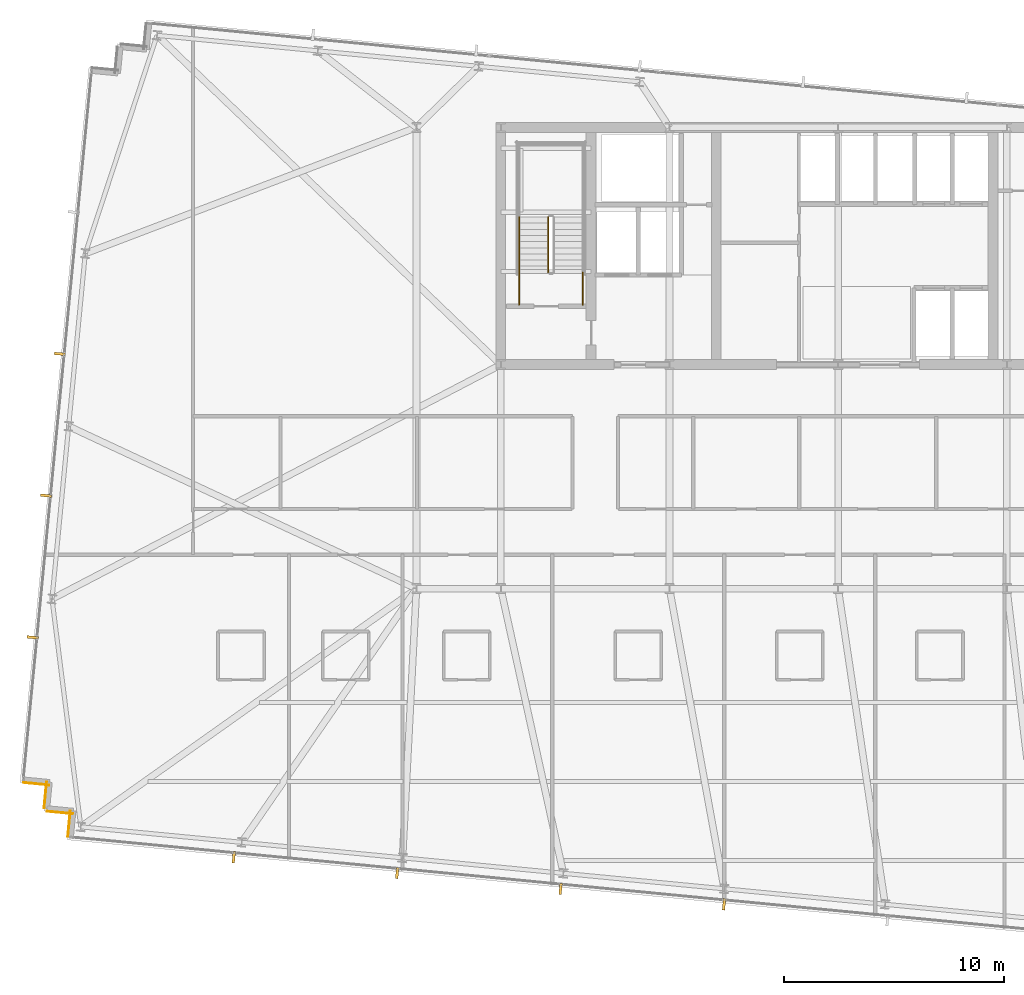
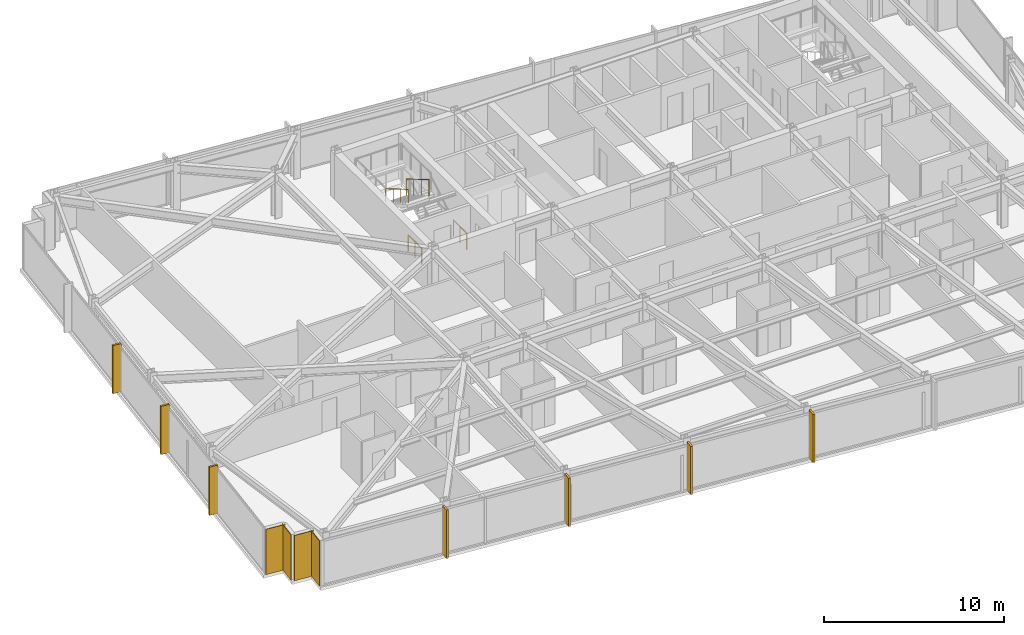
# One storey, part 33 of 38: 7 shading devices, 4 coverings, 4 railings.
"""IFC4 building model written with IfcOpenShell, lengths in metres."""

import ifcopenshell
import ifcopenshell.guid

model = None  # the IFC model being written
_history = None  # IfcOwnerHistory: only IFC2X3 demands one
_inside = {}  # id of a spatial element -> (the spatial element, [elements in it])
_under = {}  # id of a project, library or spatial element -> (it, [spatial elements below it])
_declared = {}  # id of a project -> (the project, [libraries it declares])
_typed = {}  # id of a type object -> (the type object, [elements of that type])
_made_of = {}  # id of a material, layer set ... -> (it, [elements and type objects made of it])


def new_model(schema):
    """Start an empty IFC model of exactly this schema.

    Asked for "IFC4X3", IfcOpenShell would pick the latest addendum, in which some entities
    have other attributes; the version numbers below select the first issue.
    IFC2X3 requires an IfcOwnerHistory on every rooted entity: one is made here for all.
    """
    global model, _history
    if schema == "IFC4X3":
        model = ifcopenshell.file(schema_version=(4, 3, 0, 0))
    else:
        model = ifcopenshell.file(schema=schema)
    _inside.clear()
    _under.clear()
    _declared.clear()
    _typed.clear()
    _made_of.clear()
    _history = None
    if model.schema == "IFC2X3":
        org = make("IfcOrganization", Name="unknown")
        user = make(
            "IfcPersonAndOrganization",
            ThePerson=make("IfcPerson", FamilyName="unknown"),
            TheOrganization=org,
        )
        app = make(
            "IfcApplication",
            ApplicationDeveloper=org,
            Version="unknown",
            ApplicationFullName="unknown",
            ApplicationIdentifier="unknown",
        )
        _history = make(
            "IfcOwnerHistory",
            OwningUser=user,
            OwningApplication=app,
            ChangeAction="ADDED",
            CreationDate=0,
        )
    return model


def make(cls, **values):
    """One entity of the class cls with the attributes given. An attribute that is None is left unset."""
    return model.create_entity(
        cls, **{name: value for name, value in values.items() if value is not None}
    )


def rooted(cls, **values):
    """An entity with a GlobalId (a new one), such as an element, a storey or a relation."""
    return make(cls, GlobalId=ifcopenshell.guid.new(), OwnerHistory=_history, **values)


def si_unit(unit_type, name, prefix=None):
    """IfcSIUnit, for example si_unit("LENGTHUNIT", "METRE", prefix="MILLI")."""
    return make("IfcSIUnit", UnitType=unit_type, Prefix=prefix, Name=name)


def assignment(units):
    """IfcUnitAssignment: the units of a project."""
    return None if units is None else make("IfcUnitAssignment", Units=units)


def point(xyz):
    """IfcCartesianPoint."""
    return None if xyz is None else make("IfcCartesianPoint", Coordinates=xyz)


def direction(xyz):
    """IfcDirection."""
    return None if xyz is None else make("IfcDirection", DirectionRatios=xyz)


def frame(location, z_axis=None, x_axis=None):
    """IfcAxis2Placement3D, a coordinate frame: its origin and axes. An axis left out is left unset."""
    return make(
        "IfcAxis2Placement3D",
        Location=point(location),
        Axis=direction(z_axis),
        RefDirection=direction(x_axis),
    )


def frame_2d(location, x_axis=None):
    """IfcAxis2Placement2D, a coordinate frame in the plane: its origin and x axis."""
    return make(
        "IfcAxis2Placement2D", Location=point(location), RefDirection=direction(x_axis)
    )


def origin():
    """The frame at (0, 0, 0) with its axes left unset."""
    return frame((0.0, 0.0, 0.0))


def origin_2d():
    """The frame at (0, 0) in the plane with its x axis left unset."""
    return frame_2d((0.0, 0.0))


def place(relative_to, where):
    """IfcLocalPlacement: puts the frame where relative to a parent placement (None: the world)."""
    return make(
        "IfcLocalPlacement", PlacementRelTo=relative_to, RelativePlacement=where
    )


def context(
    kind, dimensions, precision=None, world=None, true_north=None, identifier=None
):
    """IfcGeometricRepresentationContext, for example the 3D "Model" context."""
    return make(
        "IfcGeometricRepresentationContext",
        ContextIdentifier=identifier,
        ContextType=kind,
        CoordinateSpaceDimension=dimensions,
        Precision=precision,
        WorldCoordinateSystem=world,
        TrueNorth=true_north,
    )


def subcontext(parent, identifier, kind, view, scale=None):
    """IfcGeometricRepresentationSubContext, for example "Body" below "Model"."""
    return make(
        "IfcGeometricRepresentationSubContext",
        ContextIdentifier=identifier,
        ContextType=kind,
        ParentContext=parent,
        TargetScale=scale,
        TargetView=view,
    )


def project(units=None, contexts=None):
    """IfcProject with its units and contexts."""
    return rooted(
        "IfcProject",
        Name="project",
        RepresentationContexts=contexts,
        UnitsInContext=assignment(units),
    )


def spatial(cls, under=None, at=None, **own):
    """A site, building, storey or space (cls), placed at a placement, below another one or the project."""
    s = rooted(cls, ObjectPlacement=at, **own)
    if under is not None:
        _under.setdefault(under.id(), (under, []))[1].append(s)
    return s


def profile(cls, at=None, kind="AREA", **sizes):
    """A parametric profile (cls). Its sizes go by their IFC names, for example OverallWidth=200.0."""
    return make(cls, ProfileType=kind, Position=at, **sizes)


def rectangle(**sizes):
    """IfcRectangleProfileDef."""
    return profile("IfcRectangleProfileDef", **sizes)


def circle(**sizes):
    """IfcCircleProfileDef."""
    return profile("IfcCircleProfileDef", **sizes)


def extrude(swept, where, along, depth):
    """IfcExtrudedAreaSolid: the profile swept, set in the frame where, extruded along a direction by depth."""
    return make(
        "IfcExtrudedAreaSolid",
        SweptArea=swept,
        Position=where,
        ExtrudedDirection=direction(along),
        Depth=depth,
    )


def shape(context_of_items, identifier, shape_type, items):
    """IfcShapeRepresentation: the items that make up one representation, for example the "Body"."""
    return make(
        "IfcShapeRepresentation",
        ContextOfItems=context_of_items,
        RepresentationIdentifier=identifier,
        RepresentationType=shape_type,
        Items=items,
    )


def material(Name=None, Category=None):
    """IfcMaterial."""
    return make("IfcMaterial", Name=Name, Category=Category)


def layer(
    of_material, thickness, ventilated=None, Name=None, Category=None, Priority=None
):
    """IfcMaterialLayer: one layer of a wall or slab, of a material (None: an air gap)."""
    return make(
        "IfcMaterialLayer",
        Material=of_material,
        LayerThickness=thickness,
        IsVentilated=ventilated,
        Name=Name,
        Category=Category,
        Priority=Priority,
    )


def layer_set(layers, Name=None):
    """IfcMaterialLayerSet."""
    return make("IfcMaterialLayerSet", MaterialLayers=layers, LayerSetName=Name)


def made_of(thing, what):
    """Note that an element or type object is made of a material, layer set ...; save() writes the relation."""
    if what is not None:
        _made_of.setdefault(what.id(), (what, []))[1].append(thing)
    return thing


def type_object(cls, material=None, **own):
    """A type object (cls), such as IfcWallType, which elements share."""
    return made_of(rooted(cls, **own), material)


def element(
    cls,
    number,
    at=None,
    inside=None,
    cuts=None,
    type_object=None,
    material=None,
    context=None,
    identifier="Body",
    shape_type=None,
    held_by="IfcProductDefinitionShape",
    body=None,
    shapes=None,
    **own,
):
    """One element of the class cls, such as IfcWall. Its Tag is "e" and its number.

    at: its placement. inside: the storey or other place that contains it. cuts: it is an
    opening in that element (IfcRelVoidsElement). A single representation is given by context,
    identifier, shape_type and body (its items); several are given by shapes. held_by: the class
    of the entity that holds the representations. save() writes the other relations.
    """
    e = rooted(cls, Tag="e%d" % number, ObjectPlacement=at, **own)
    if body is not None:
        shapes = [shape(context, identifier, shape_type, body)]
    if shapes is not None:
        e.Representation = make(held_by, Representations=shapes)
    if inside is not None:
        _inside.setdefault(inside.id(), (inside, []))[1].append(e)
    if cuts is not None:
        rooted(
            "IfcRelVoidsElement", RelatingBuildingElement=cuts, RelatedOpeningElement=e
        )
    if type_object is not None:
        _typed.setdefault(type_object.id(), (type_object, []))[1].append(e)
    return made_of(e, material)


def aggregate(whole, parts):
    """IfcRelAggregates: a whole, such as a stair, and the parts it consists of."""
    return rooted("IfcRelAggregates", RelatingObject=whole, RelatedObjects=parts)


def save(model, path):
    """Write the relations noted so far, then the file.

    IfcRelAggregates (storeys below a building ...), IfcRelContainedInSpatialStructure (elements
    in a storey), IfcRelDefinesByType, IfcRelAssociatesMaterial and IfcRelDeclares: one each for
    every whole, place, type object, material and project.
    """
    for whole, parts in _under.values():
        aggregate(whole, parts)
    for where, things in _inside.values():
        rooted(
            "IfcRelContainedInSpatialStructure",
            RelatedElements=things,
            RelatingStructure=where,
        )
    for kind, things in _typed.values():
        rooted("IfcRelDefinesByType", RelatedObjects=things, RelatingType=kind)
    for what, things in _made_of.values():
        rooted("IfcRelAssociatesMaterial", RelatedObjects=things, RelatingMaterial=what)
    for by, libraries in _declared.values():
        rooted("IfcRelDeclares", RelatingContext=by, RelatedDefinitions=libraries)
    model.write(path)


model = new_model("IFC4")

# Units and contexts
model_context = context("Model", 3, precision=1e-05, world=origin(), true_north=direction((0.0, 1.0)))
body_context = subcontext(model_context, "Body", "Model", "MODEL_VIEW")
ifc_project = project(units=[si_unit("LENGTHUNIT", "METRE"), si_unit("AREAUNIT", "SQUARE_METRE"), si_unit("VOLUMEUNIT", "CUBIC_METRE"), si_unit("PLANEANGLEUNIT", "RADIAN"), si_unit("MASSUNIT", "GRAM", prefix="KILO")], contexts=[model_context])

# Site, building, storey
site_placement = place(None, origin())
site = spatial("IfcSite", under=ifc_project, at=site_placement, CompositionType="ELEMENT")
building_placement = place(site_placement, origin())
building = spatial("IfcBuilding", under=site, at=building_placement, Name="Yelkora Congress Tower", CompositionType="ELEMENT")
storey_placement = place(building_placement, frame((0.0, 0.0, 172.10009765625)))
storey = spatial("IfcBuildingStorey", under=building, at=storey_placement, Name="L47", CompositionType="ELEMENT", Elevation=172.10009765625)

# Coverings
ifc_material_1 = material(Name="Anatolian bush-hammered limestone", Category="masonry")
ifc_layer_1 = layer(ifc_material_1, 0.0400390625)
ifc_layer_set_1 = layer_set([ifc_layer_1], Name="Anatolian bush-hammered limestone")
covering_type = type_object("IfcCoveringType", Name="COV-CLAD-SPANDREL-40", PredefinedType="CLADDING", material=ifc_layer_set_1)
covering_1_placement = place(storey_placement, frame((3.327880859375, 13.90185546875, 0.0), z_axis=(0.0, 0.0, 1.0), x_axis=(0.095817067274, 0.995398960025, 0.0)))
element("IfcCovering", 1, at=covering_1_placement, inside=storey, type_object=covering_type, Name="L47 Anatolian Limestone Cladding EW-L47-SR01", PredefinedType="CLADDING", context=body_context, shape_type="SweptSolid", body=[
    extrude(rectangle(XDim=1.2001953125, YDim=0.0400390625, at=frame_2d((0.60009765625, 0.0))), origin(), (0.0, 0.0, 1.0), 3.079833984375),
])
covering_2_placement = place(storey_placement, frame((3.564208984375, 14.94921875, 0.0), z_axis=(0.0, 0.0, 1.0), x_axis=(-0.995397091755, 0.095836473879, 0.0)))
element("IfcCovering", 2, at=covering_2_placement, inside=storey, type_object=covering_type, Name="L47 Anatolian Limestone Cladding EW-L47-SR02", PredefinedType="CLADDING", context=body_context, shape_type="SweptSolid", body=[
    extrude(rectangle(XDim=1.199951171875, YDim=0.0400390625, at=frame_2d((0.60009765625, 0.0))), origin(), (0.0, 0.0, 1.0), 3.079833984375),
])
for number, where, z_axis, x_axis, name in (
    (3, (2.248291015625, 15.21142578125, 0.0), (0.0, 0.0, 1.0), (0.095817067274, 0.995398960025, 0.0), "L47 Anatolian Limestone Cladding EW-L47-SR03"),
    (4, (2.48486328125, 16.258544921875, 0.0), (0.0, 0.0, 1.0), (-0.995398960025, 0.095817067274, 0.0), "L47 Anatolian Limestone Cladding EW-L47-SR04"),
):
    element("IfcCovering", number, at=place(storey_placement, frame(where, z_axis=z_axis, x_axis=x_axis)), inside=storey, type_object=covering_type, Name=name, PredefinedType="CLADDING", context=body_context, shape_type="SweptSolid", body=[
        extrude(rectangle(XDim=1.2001953125, YDim=0.0400390625, at=frame_2d((0.60009765625, 0.0))), origin(), (0.0, 0.0, 1.0), 3.079833984375),
    ])

# Railings
ifc_material_2 = material(Name="Painted galvanised steel stair well guard with vertical infill", Category="steel")
ifc_layer_2 = layer(ifc_material_2, 0.06005859375)
ifc_layer_set_2 = layer_set([ifc_layer_2], Name="Painted galvanised steel stair well guard with vertical infill")
railing_type_1 = type_object("IfcRailingType", Name="RAIL-STAIR-GUARD-1120", PredefinedType="GUARDRAIL", material=ifc_layer_set_2)
railing_1_placement = place(storey_placement, frame((25.18994140625, 42.1201171875, 1.81494140625)))
element("IfcRailing", 5, at=railing_1_placement, inside=storey, type_object=railing_type_1, Name="ST-01 L47 Stair Well Guardrail 6", PredefinedType="GUARDRAIL", context=body_context, shape_type="SweptSolid", body=[
    extrude(circle(Radius=0.02392578125, at=origin_2d()), frame((0.0, 0.0, 1.09619140625), z_axis=(0.0, -0.861560626758, 0.507654692109), x_axis=(1.0, 0.0, 0.0)), (0.0, 0.0, 1.0), 2.925048828125),
    extrude(circle(Radius=0.02099609375, at=origin_2d()), origin(), (0.0, 0.0, 1.0), 1.072021484375),
    extrude(circle(Radius=0.02099609375, at=origin_2d()), frame((0.0, -0.840087890625, 0.494873046875)), (0.0, 0.0, 1.0), 1.072021484375),
    extrude(circle(Radius=0.02099609375, at=origin_2d()), frame((0.0, -1.679931640625, 0.989990234375)), (0.0, 0.0, 1.0), 1.072021484375),
    extrude(circle(Radius=0.02099609375, at=origin_2d()), frame((0.0, -2.52001953125, 1.48486328125)), (0.0, 0.0, 1.0), 1.072021484375),
])
for number, where, name in (
    (6, (26.77001953125, 38.1201171875, 0.0), "ST-01 L47 Stair Well Guardrail 8"),
    (7, (23.8701171875, 38.1201171875, 0.0), "ST-01 L47 Stair Well Guardrail 9"),
):
    element("IfcRailing", number, at=place(storey_placement, frame(where)), inside=storey, type_object=railing_type_1, Name=name, PredefinedType="GUARDRAIL", context=body_context, shape_type="SweptSolid", body=[
        extrude(circle(Radius=0.02392578125, at=origin_2d()), frame((0.0, 0.0, 1.09619140625), z_axis=(0.0, 1.0, 0.0), x_axis=(-1.0, 0.0, 0.0)), (0.0, 0.0, 1.0), 1.47998046875),
        extrude(circle(Radius=0.02099609375, at=origin_2d()), origin(), (0.0, 0.0, 1.0), 1.072021484375),
        extrude(circle(Radius=0.02099609375, at=origin_2d()), frame((0.0, 0.739990234375, 0.0)), (0.0, 0.0, 1.0), 1.072021484375),
        extrude(circle(Radius=0.02099609375, at=origin_2d()), frame((0.0, 1.47998046875, 0.0)), (0.0, 0.0, 1.0), 1.072021484375),
    ])
ifc_material_3 = material(Name="Brushed stainless steel tubular handrail", Category="steel")
ifc_layer_3 = layer(ifc_material_3, 0.050048828125)
ifc_layer_set_3 = layer_set([ifc_layer_3], Name="Brushed stainless steel tubular handrail")
railing_type_2 = type_object("IfcRailingType", Name="RAIL-STAIR-HAND-920", PredefinedType="HANDRAIL", material=ifc_layer_set_3)
railing_2_placement = place(storey_placement, frame((23.8701171875, 42.1201171875, 1.81494140625)))
element("IfcRailing", 8, at=railing_2_placement, inside=storey, type_object=railing_type_2, Name="ST-01 L47 Pitch Handrail 2", PredefinedType="HANDRAIL", context=body_context, shape_type="SweptSolid", body=[
    extrude(circle(Radius=0.02392578125, at=origin_2d()), frame((0.0, 0.0, 0.89599609375), z_axis=(0.0, -0.861560626758, 0.507654692109), x_axis=(1.0, 0.0, 0.0)), (0.0, 0.0, 1.0), 2.925048828125),
    extrude(circle(Radius=0.02099609375, at=origin_2d()), origin(), (0.0, 0.0, 1.0), 0.871826171875),
    extrude(circle(Radius=0.02099609375, at=origin_2d()), frame((0.0, -0.840087890625, 0.494873046875)), (0.0, 0.0, 1.0), 0.871826171875),
    extrude(circle(Radius=0.02099609375, at=origin_2d()), frame((0.0, -1.679931640625, 0.989990234375)), (0.0, 0.0, 1.0), 0.871826171875),
    extrude(circle(Radius=0.02099609375, at=origin_2d()), frame((0.0, -2.52001953125, 1.48486328125)), (0.0, 0.0, 1.0), 0.871826171875),
])

# Shading devices
ifc_material_4 = material(Name="Champagne anodised aluminium", Category="aluminium")
ifc_layer_4 = layer(ifc_material_4, 3.300048828125)
ifc_layer_set_4 = layer_set([ifc_layer_4], Name="Champagne anodised aluminium")
shading_device_type = type_object("IfcShadingDeviceType", Name="SHD-FIN-ALU-520", PredefinedType="USERDEFINED", material=ifc_layer_set_4)
for number, where, z_axis, x_axis, name in (
    (9, (1.7255859375, 22.981201171875, -0.0302734375), (0.0, 0.0, 1.0), (0.09584575252, 0.995396198367, 0.0), "L47 Vertical Anodised Solar Fin 5-1"),
    (10, (2.34716796875, 29.435302734375, -0.0302734375), (0.0, 0.0, 1.0), (0.09584575252, 0.995396198367, 0.0), "L47 Vertical Anodised Solar Fin 5-2"),
    (11, (2.968505859375, 35.889404296875, -0.0302734375), (0.0, 0.0, 1.0), (0.09584575252, 0.995396198367, 0.0), "L47 Vertical Anodised Solar Fin 5-3"),
    (12, (33.202392578125, 10.82421875, -0.0302734375), (0.0, 0.0, 1.0), (-0.995396198367, 0.09584575252, 0.0), "L47 Vertical Anodised Solar Fin 20-3"),
    (13, (25.7626953125, 11.540771484375, -0.0302734375), (0.0, 0.0, 1.0), (-0.995396198367, 0.09584575252, 0.0), "L47 Vertical Anodised Solar Fin 20-4"),
    (14, (18.32275390625, 12.257080078125, -0.0302734375), (0.0, 0.0, 1.0), (-0.995396198367, 0.09584575252, 0.0), "L47 Vertical Anodised Solar Fin 20-5"),
    (15, (10.8828125, 12.973388671875, -0.0302734375), (0.0, 0.0, 1.0), (-0.995396198367, 0.09584575252, 0.0), "L47 Vertical Anodised Solar Fin 20-6"),
):
    element("IfcShadingDevice", number, at=place(storey_placement, frame(where, z_axis=z_axis, x_axis=x_axis)), inside=storey, type_object=shading_device_type, Name=name, ObjectType="FIN", PredefinedType="USERDEFINED", context=body_context, shape_type="SweptSolid", body=[
        extrude(rectangle(XDim=0.1201171875, YDim=0.52001953125, at=origin_2d()), origin(), (0.0, 0.0, 1.0), 3.280029296875),
    ])

save(model, "model.ifc")
